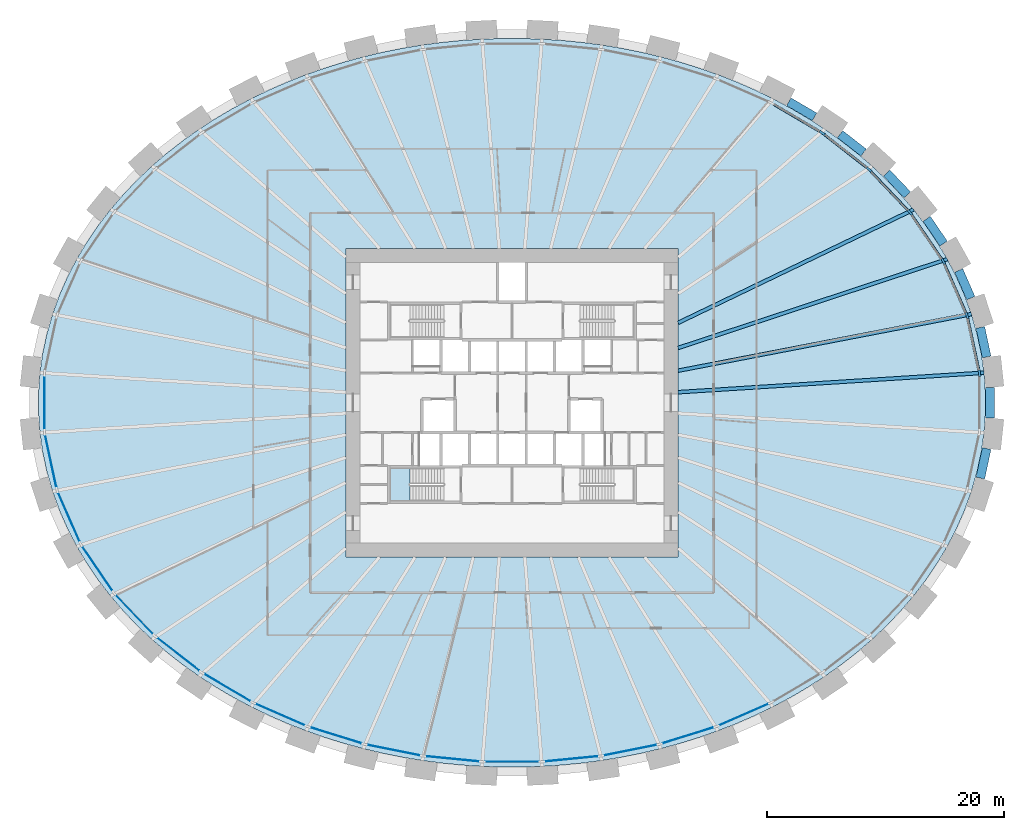
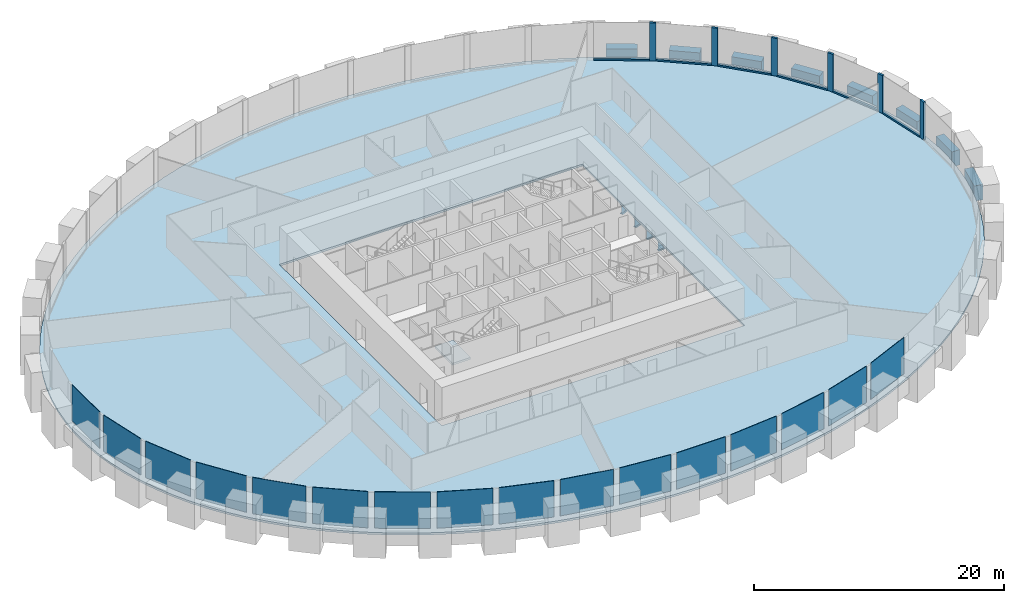
# One storey, part 4 of 11: 16 plates, 12 beams, 12 members, 2 slabs, 2 elements without a shape of their own.
"""IFC4 building model written with IfcOpenShell, lengths in metres."""

from ifc_helpers import new_model, si_unit, direction, frame, origin, origin_2d, place, context, subcontext, project, spatial, polyline, rectangle, i_section, outline, extrude, source, transform, mapped, material, layer, layer_set, material_profile, profile_set, type_object, element, aggregate, save


model = new_model("IFC4")

# Units and contexts
model_context = context("Model", 3, precision=1e-05, world=origin(), true_north=direction((0.0, 1.0)))
body_context = subcontext(model_context, "Body", "Model", "MODEL_VIEW")
ifc_project = project(units=[si_unit("LENGTHUNIT", "METRE"), si_unit("AREAUNIT", "SQUARE_METRE"), si_unit("VOLUMEUNIT", "CUBIC_METRE"), si_unit("PLANEANGLEUNIT", "RADIAN"), si_unit("MASSUNIT", "GRAM", prefix="KILO")], contexts=[model_context])

# Site, building, storey
site_placement = place(None, origin())
site = spatial("IfcSite", under=ifc_project, at=site_placement, CompositionType="ELEMENT")
building_placement = place(site_placement, origin())
building = spatial("IfcBuilding", under=site, at=building_placement, Name="Embergate Tower", CompositionType="ELEMENT")
storey_placement = place(building_placement, frame((0.0, 0.0, 58.10009765625)))
storey = spatial("IfcBuildingStorey", under=building, at=storey_placement, Name="L10", CompositionType="ELEMENT", Elevation=58.10009765625)

# Beams
ifc_material_1 = material(Name="Concrete C70", Category="concrete")
ifc_material_profile_1 = material_profile(ifc_material_1, rectangle(XDim=0.75, YDim=1.5, at=origin_2d()), Name="RC 750x1500")
ifc_profile_set_1 = profile_set([ifc_material_profile_1], Name="Concrete C70")
beam_type_1 = type_object("IfcBeamType", Name="Spandrel beam RC 750x1500 C70", PredefinedType="BEAM", material=ifc_profile_set_1)
shared_shape_1 = source(origin(), body_context, "Body", "SweptSolid", [
    extrude(rectangle(XDim=0.75, YDim=1.5, at=origin_2d()), origin(), (0.0, 0.0, 1.0), 2.5439453125),
])
for number, where, z_axis, x_axis, name in (
    (1, (40.0009765625, 3.85791015625, 0.0), (-0.210269633901, 0.977643432474, 0.0), (-0.977643432474, -0.210269633901, 0.0), "SPN-L10-00"),
    (2, (39.466064453125, -6.344970703125, 0.0), (0.210269633901, 0.977643432474, 0.0), (-0.977643432474, 0.210269633901, 0.0), "SPN-L10-42"),
):
    element("IfcBeam", number, at=place(storey_placement, frame(where, z_axis=z_axis, x_axis=x_axis)), inside=storey, type_object=beam_type_1, Name=name, PredefinedType="BEAM", context=body_context, shape_type="MappedRepresentation", body=[
        mapped(shared_shape_1, transform((0.0, 0.0, 0.0))),
    ])
shared_shape_2 = source(origin(), body_context, "Body", "SweptSolid", [
    extrude(rectangle(XDim=0.75, YDim=1.5, at=origin_2d()), origin(), (0.0, 0.0, 1.0), 2.540771484375),
])
beam_1_placement = place(storey_placement, frame((38.666015625, 8.819091796875, 0.0), z_axis=(-0.401479097778, 0.915868185956, 0.0), x_axis=(-0.915868185956, -0.401479097778, 0.0)))
element("IfcBeam", 3, at=beam_1_placement, inside=storey, type_object=beam_type_1, Name="SPN-L10-01", PredefinedType="BEAM", context=body_context, shape_type="MappedRepresentation", body=[
    mapped(shared_shape_2, transform((0.0, 0.0, 0.0))),
])
shared_shape_3 = source(origin(), body_context, "Body", "SweptSolid", [
    extrude(rectangle(XDim=0.75, YDim=1.5, at=origin_2d()), origin(), (0.0, 0.0, 1.0), 2.5302734375),
])
beam_2_placement = place(storey_placement, frame((36.3701171875, 13.410888671875, 0.0), z_axis=(-0.562447254988, 0.82683316658, 0.0), x_axis=(-0.82683316658, -0.562447254988, 0.0)))
element("IfcBeam", 4, at=beam_2_placement, inside=storey, type_object=beam_type_1, Name="SPN-L10-02", PredefinedType="BEAM", context=body_context, shape_type="MappedRepresentation", body=[
    mapped(shared_shape_3, transform((0.0, 0.0, 0.0))),
])
shared_shape_4 = source(origin(), body_context, "Body", "SweptSolid", [
    extrude(rectangle(XDim=0.75, YDim=1.5, at=origin_2d()), origin(), (0.0, 0.0, 1.0), 2.525146484375),
])
beam_3_placement = place(storey_placement, frame((33.31298828125, 17.52490234375, 0.0), z_axis=(-0.689836216716, 0.723965464719, 0.0), x_axis=(-0.723965464719, -0.689836216716, 0.0)))
element("IfcBeam", 5, at=beam_3_placement, inside=storey, type_object=beam_type_1, Name="SPN-L10-03", PredefinedType="BEAM", context=body_context, shape_type="MappedRepresentation", body=[
    mapped(shared_shape_4, transform((0.0, 0.0, 0.0))),
])
shared_shape_5 = source(origin(), body_context, "Body", "SweptSolid", [
    extrude(rectangle(XDim=0.75, YDim=1.5, at=origin_2d()), origin(), (0.0, 0.0, 1.0), 2.51708984375),
])
beam_4_placement = place(storey_placement, frame((29.6298828125, 21.0830078125, 0.0), z_axis=(-0.788186103863, 0.615436971328, 0.0), x_axis=(-0.615436971328, -0.788186103863, 0.0)))
element("IfcBeam", 6, at=beam_4_placement, inside=storey, type_object=beam_type_1, Name="SPN-L10-04", PredefinedType="BEAM", context=body_context, shape_type="MappedRepresentation", body=[
    mapped(shared_shape_5, transform((0.0, 0.0, 0.0))),
])
shared_shape_6 = source(origin(), body_context, "Body", "SweptSolid", [
    extrude(rectangle(XDim=0.75, YDim=1.5, at=origin_2d()), origin(), (0.0, 0.0, 1.0), 2.512451171875),
])
beam_5_placement = place(storey_placement, frame((25.49609375, 24.093994140625, 0.0), z_axis=(-0.862138987282, 0.506671852986, 0.0), x_axis=(-0.506671852986, -0.862138987282, 0.0)))
element("IfcBeam", 7, at=beam_5_placement, inside=storey, type_object=beam_type_1, Name="SPN-L10-05", PredefinedType="BEAM", context=body_context, shape_type="MappedRepresentation", body=[
    mapped(shared_shape_6, transform((0.0, 0.0, 0.0))),
])
shared_shape_7 = source(origin(), body_context, "Body", "SweptSolid", [
    extrude(rectangle(XDim=0.75, YDim=1.5, at=origin_2d()), origin(), (0.0, 0.0, 1.0), 2.5498046875),
])
beam_6_placement = place(storey_placement, frame((40.2958984375, -1.27490234375, 0.0), z_axis=(0.0, 1.0, 0.0), x_axis=(-1.0, 0.0, 0.0)))
element("IfcBeam", 8, at=beam_6_placement, inside=storey, type_object=beam_type_1, Name="SPN-L10-43", PredefinedType="BEAM", context=body_context, shape_type="MappedRepresentation", body=[
    mapped(shared_shape_7, transform((0.0, 0.0, 0.0))),
])
ifc_material_2 = material(Name="Steel Q355B", Category="steel")
ifc_material_profile_2 = material_profile(ifc_material_2, i_section(OverallWidth=0.300048828125, OverallDepth=0.89990234375, WebThickness=0.01611328125, FlangeThickness=0.028076171875, FilletRadius=0.028076171875, at=origin_2d()), Name="HN 900x300x16x28")
ifc_profile_set_2 = profile_set([ifc_material_profile_2], Name="Steel Q355 grade B")
beam_type_2 = type_object("IfcBeamType", Name="Radial girder HN 900x300x16x28", PredefinedType="BEAM", material=ifc_profile_set_2)
shared_shape_8 = source(origin(), body_context, "Body", "SweptSolid", [
    extrude(i_section(OverallWidth=0.300048828125, OverallDepth=0.89990234375, WebThickness=0.01611328125, FlangeThickness=0.028076171875, FilletRadius=0.028076171875, at=origin_2d()), origin(), (0.0, 0.0, 1.0), 25.8330078125),
])
beam_7_placement = place(storey_placement, frame((39.781005859375, 2.527099609375, -0.650146484375), z_axis=(-0.997987282957, -0.063414375786, 0.0), x_axis=(0.063414375786, -0.997987282957, 0.0)))
element("IfcBeam", 9, at=beam_7_placement, inside=storey, type_object=beam_type_2, Name="GIR-L10-00", PredefinedType="BEAM", context=body_context, shape_type="MappedRepresentation", body=[
    mapped(shared_shape_8, transform((0.0, 0.0, 0.0))),
])
shared_shape_9 = source(origin(), body_context, "Body", "SweptSolid", [
    extrude(i_section(OverallWidth=0.300048828125, OverallDepth=0.89990234375, WebThickness=0.01611328125, FlangeThickness=0.028076171875, FilletRadius=0.028076171875, at=origin_2d()), origin(), (0.0, 0.0, 1.0), 25.173583984375),
])
beam_8_placement = place(storey_placement, frame((38.718017578125, 7.468994140625, -0.650146484375), z_axis=(-0.981898721565, -0.189406706822, 0.0), x_axis=(0.189406706822, -0.981898721565, 0.0)))
element("IfcBeam", 10, at=beam_8_placement, inside=storey, type_object=beam_type_2, Name="GIR-L10-01", PredefinedType="BEAM", context=body_context, shape_type="MappedRepresentation", body=[
    mapped(shared_shape_9, transform((0.0, 0.0, 0.0))),
])
shared_shape_10 = source(origin(), body_context, "Body", "SweptSolid", [
    extrude(i_section(OverallWidth=0.300048828125, OverallDepth=0.89990234375, WebThickness=0.01611328125, FlangeThickness=0.028076171875, FilletRadius=0.028076171875, at=origin_2d()), origin(), (0.0, 0.0, 1.0), 23.889404296875),
])
beam_9_placement = place(storey_placement, frame((36.68701171875, 12.10009765625, -0.650146484375), z_axis=(-0.949672981662, -0.313243081171, 0.0), x_axis=(0.313243081171, -0.949672981662, 0.0)))
element("IfcBeam", 11, at=beam_9_placement, inside=storey, type_object=beam_type_2, Name="GIR-L10-02", PredefinedType="BEAM", context=body_context, shape_type="MappedRepresentation", body=[
    mapped(shared_shape_10, transform((0.0, 0.0, 0.0))),
])
shared_shape_11 = source(origin(), body_context, "Body", "SweptSolid", [
    extrude(i_section(OverallWidth=0.300048828125, OverallDepth=0.89990234375, WebThickness=0.01611328125, FlangeThickness=0.028076171875, FilletRadius=0.028076171875, at=origin_2d()), origin(), (0.0, 0.0, 1.0), 22.020751953125),
])
beam_10_placement = place(storey_placement, frame((33.843994140625, 16.281005859375, -0.650146484375), z_axis=(-0.90115457104, -0.433497911291, 0.0), x_axis=(0.433497911291, -0.90115457104, 0.0)))
element("IfcBeam", 12, at=beam_10_placement, inside=storey, type_object=beam_type_2, Name="GIR-L10-03", PredefinedType="BEAM", context=body_context, shape_type="MappedRepresentation", body=[
    mapped(shared_shape_11, transform((0.0, 0.0, 0.0))),
])

# Curtain wall, members
ifc_material_3 = material(Name="Aluminium and glass", Category="aluminium")
curtain_wall_type = type_object("IfcCurtainWallType", Name="Recessed office glazing", PredefinedType="NOTDEFINED", material=ifc_material_3)
curtain_wall_placement = place(storey_placement, origin())
curtain_wall = element("IfcCurtainWall", 13, at=curtain_wall_placement, inside=storey, type_object=curtain_wall_type, Name="Recessed office glazing ring", ObjectType="RECESSED OFFICE GLAZING", PredefinedType="USERDEFINED")
ifc_material_4 = material(Name="Aluminium, thermally broken", Category="aluminium")
ifc_material_profile_3 = material_profile(ifc_material_4, rectangle(XDim=0.179931640625, YDim=0.52001953125, at=origin_2d()), Name="AL 520x180")
ifc_profile_set_3 = profile_set([ifc_material_profile_3], Name="Aluminium, thermally broken")
member_type_1 = type_object("IfcMemberType", Name="Office mullion", PredefinedType="MULLION", material=ifc_profile_set_3)
shared_shape_12 = source(origin(), body_context, "Body", "SweptSolid", [
    extrude(rectangle(XDim=0.179931640625, YDim=0.52001953125, at=origin_2d()), origin(), (0.0, 0.0, 1.0), 3.699951171875),
])
member_1_placement = place(storey_placement, frame((39.393798828125, 2.485595703125, 0.0), z_axis=(0.0, 0.0, 1.0), x_axis=(-0.994385508811, -0.105818050756, 0.0)))
member_1 = element("IfcMember", 14, at=member_1_placement, type_object=member_type_1, Name="CW mullion 1", PredefinedType="MULLION", context=body_context, shape_type="MappedRepresentation", body=[
    mapped(shared_shape_12, transform((0.0, 0.0, 0.0))),
])
member_2_placement = place(storey_placement, frame((38.347412109375, 7.347900390625, 0.0), z_axis=(0.0, 0.0, 1.0), x_axis=(-0.951502093582, -0.307642269381, 0.0)))
member_2 = element("IfcMember", 15, at=member_2_placement, type_object=member_type_1, Name="CW mullion 2", PredefinedType="MULLION", context=body_context, shape_type="MappedRepresentation", body=[
    mapped(shared_shape_12, transform((0.0, 0.0, 0.0))),
])
member_3_placement = place(storey_placement, frame((36.3466796875, 11.909423828125, 0.0), z_axis=(0.0, 0.0, 1.0), x_axis=(-0.875010345178, -0.48410422001, 0.0)))
member_3 = element("IfcMember", 16, at=member_3_placement, type_object=member_type_1, Name="CW mullion 3", PredefinedType="MULLION", context=body_context, shape_type="MappedRepresentation", body=[
    mapped(shared_shape_12, transform((0.0, 0.0, 0.0))),
])
member_4_placement = place(storey_placement, frame((33.541015625, 16.035400390625, 0.0), z_axis=(0.0, 0.0, 1.0), x_axis=(-0.777883532271, -0.628408474022, 0.0)))
member_4 = element("IfcMember", 17, at=member_4_placement, type_object=member_type_1, Name="CW mullion 4", PredefinedType="MULLION", context=body_context, shape_type="MappedRepresentation", body=[
    mapped(shared_shape_12, transform((0.0, 0.0, 0.0))),
])
member_5_placement = place(storey_placement, frame((30.09130859375, 19.65283203125, 0.0), z_axis=(0.0, 0.0, 1.0), x_axis=(-0.671239471147, -0.741240563093, 0.0)))
member_5 = element("IfcMember", 18, at=member_5_placement, type_object=member_type_1, Name="CW mullion 5", PredefinedType="MULLION", context=body_context, shape_type="MappedRepresentation", body=[
    mapped(shared_shape_12, transform((0.0, 0.0, 0.0))),
])
member_6_placement = place(storey_placement, frame((26.14501953125, 22.73291015625, 0.0), z_axis=(0.0, 0.0, 1.0), x_axis=(-0.562229165438, -0.826981478348, 0.0)))
member_6 = element("IfcMember", 19, at=member_6_placement, type_object=member_type_1, Name="CW mullion 6", PredefinedType="MULLION", context=body_context, shape_type="MappedRepresentation", body=[
    mapped(shared_shape_12, transform((0.0, 0.0, 0.0))),
])
ifc_material_profile_4 = material_profile(ifc_material_4, rectangle(XDim=0.179931640625, YDim=0.14990234375, at=origin_2d()), Name="AL 150x180")
ifc_profile_set_4 = profile_set([ifc_material_profile_4], Name="Aluminium, thermally broken")
member_type_2 = type_object("IfcMemberType", Name="Office sill transom", PredefinedType="USERDEFINED", material=ifc_profile_set_4)
shared_shape_13 = source(origin(), body_context, "Body", "SweptSolid", [
    extrude(rectangle(XDim=0.179931640625, YDim=0.14990234375, at=origin_2d()), origin(), (0.0, 0.0, 1.0), 4.45361328125),
])
member_7_placement = place(storey_placement, frame((39.339111328125, 2.73974609375, 0.074951171875), z_axis=(-0.210390045313, 0.977617526865, 0.0), x_axis=(-0.977617526865, -0.210390045313, 0.0)))
member_7 = element("IfcMember", 20, at=member_7_placement, type_object=member_type_2, Name="CW transom 1.1", ObjectType="TRANSOM", PredefinedType="USERDEFINED", context=body_context, shape_type="MappedRepresentation", body=[
    mapped(shared_shape_13, transform((0.0, 0.0, 0.0))),
])
shared_shape_14 = source(origin(), body_context, "Body", "SweptSolid", [
    extrude(rectangle(XDim=0.179931640625, YDim=0.14990234375, at=origin_2d()), origin(), (0.0, 0.0, 1.0), 4.460693359375),
])
member_8_placement = place(storey_placement, frame((38.242919921875, 7.586181640625, 0.074951171875), z_axis=(-0.401613983085, 0.915809045921, 0.0), x_axis=(-0.915809045921, -0.401613983085, 0.0)))
member_8 = element("IfcMember", 21, at=member_8_placement, type_object=member_type_2, Name="CW transom 2.1", ObjectType="TRANSOM", PredefinedType="USERDEFINED", context=body_context, shape_type="MappedRepresentation", body=[
    mapped(shared_shape_14, transform((0.0, 0.0, 0.0))),
])
shared_shape_15 = source(origin(), body_context, "Body", "SweptSolid", [
    extrude(rectangle(XDim=0.179931640625, YDim=0.14990234375, at=origin_2d()), origin(), (0.0, 0.0, 1.0), 4.4697265625),
])
member_9_placement = place(storey_placement, frame((36.20068359375, 12.12451171875, 0.074951171875), z_axis=(-0.562327949545, 0.826914310652, 0.0), x_axis=(-0.826914310652, -0.562327949545, 0.0)))
member_9 = element("IfcMember", 22, at=member_9_placement, type_object=member_type_2, Name="CW transom 3.1", ObjectType="TRANSOM", PredefinedType="USERDEFINED", context=body_context, shape_type="MappedRepresentation", body=[
    mapped(shared_shape_15, transform((0.0, 0.0, 0.0))),
])
shared_shape_16 = source(origin(), body_context, "Body", "SweptSolid", [
    extrude(rectangle(XDim=0.179931640625, YDim=0.14990234375, at=origin_2d()), origin(), (0.0, 0.0, 1.0), 4.478515625),
])
member_10_placement = place(storey_placement, frame((33.361572265625, 16.2236328125, 0.074951171875), z_axis=(-0.690145055563, 0.723671059447, 0.0), x_axis=(-0.723671059447, -0.690145055563, 0.0)))
member_10 = element("IfcMember", 23, at=member_10_placement, type_object=member_type_2, Name="CW transom 4.1", ObjectType="TRANSOM", PredefinedType="USERDEFINED", context=body_context, shape_type="MappedRepresentation", body=[
    mapped(shared_shape_16, transform((0.0, 0.0, 0.0))),
])
shared_shape_17 = source(origin(), body_context, "Body", "SweptSolid", [
    extrude(rectangle(XDim=0.179931640625, YDim=0.14990234375, at=origin_2d()), origin(), (0.0, 0.0, 1.0), 4.486083984375),
])
member_11_placement = place(storey_placement, frame((29.886474609375, 19.812744140625, 0.074951171875), z_axis=(-0.78829904423, 0.615292301972, 0.0), x_axis=(-0.615292301972, -0.78829904423, 0.0)))
member_11 = element("IfcMember", 24, at=member_11_placement, type_object=member_type_2, Name="CW transom 5.1", ObjectType="TRANSOM", PredefinedType="USERDEFINED", context=body_context, shape_type="MappedRepresentation", body=[
    mapped(shared_shape_17, transform((0.0, 0.0, 0.0))),
])
shared_shape_18 = source(origin(), body_context, "Body", "SweptSolid", [
    extrude(rectangle(XDim=0.179931640625, YDim=0.14990234375, at=origin_2d()), origin(), (0.0, 0.0, 1.0), 4.491943359375),
])
member_12_placement = place(storey_placement, frame((25.9208984375, 22.86474609375, 0.074951171875), z_axis=(-0.8620529522, 0.506818219486, 0.0), x_axis=(-0.506818219486, -0.8620529522, 0.0)))
member_12 = element("IfcMember", 25, at=member_12_placement, type_object=member_type_2, Name="CW transom 6.1", ObjectType="TRANSOM", PredefinedType="USERDEFINED", context=body_context, shape_type="MappedRepresentation", body=[
    mapped(shared_shape_18, transform((0.0, 0.0, 0.0))),
])

# Slab
ifc_material_5 = material(Name="Concrete C40", Category="concrete")
ifc_layer_1 = layer(ifc_material_5, 0.199951171875)
ifc_layer_set_1 = layer_set([ifc_layer_1], Name="Concrete C40")
slab_type_1 = type_object("IfcSlabType", Name="Composite floor slab C40 200", PredefinedType="FLOOR", material=ifc_layer_set_1)
shared_shape_19 = source(origin(), body_context, "Body", "SweptSolid", [
    extrude(outline(polyline([(0.0, 0.0), (1.68798828125, 0.0), (3.375, 0.054931640625), (5.06298828125, 0.1650390625), (6.742919921875, 0.330078125), (8.4130859375, 0.550048828125), (10.0849609375, 0.826904296875), (11.739990234375, 1.158935546875), (13.375, 1.544921875), (15.013916015625, 1.992919921875), (16.6259765625, 2.494873046875), (18.2080078125, 3.050048828125), (19.7919921875, 3.673095703125), (21.339111328125, 4.348876953125), (22.844970703125, 5.077880859375), (24.35009765625, 5.880859375), (25.804931640625, 6.737060546875), (27.2080078125, 7.64306640625), (28.60107421875, 8.632080078125), (29.930908203125, 9.669921875), (31.196044921875, 10.755859375), (32.43798828125, 11.931884765625), (33.60302734375, 13.153076171875), (34.68798828125, 14.41796875), (35.72802734375, 15.77392578125), (36.677001953125, 17.1689453125), (37.531982421875, 18.599853515625), (38.31494140625, 20.114990234375), (38.991943359375, 21.659912109375), (39.56201171875, 23.22998046875), (40.032958984375, 24.862060546875), (40.387939453125, 26.510986328125), (40.6259765625, 28.171875), (40.74609375, 29.85595703125), (40.74609375, 31.5419921875), (40.6259765625, 33.22607421875), (40.387939453125, 34.886962890625), (40.032958984375, 36.535888671875), (39.56201171875, 38.16796875), (38.991943359375, 39.738037109375), (38.31494140625, 41.282958984375), (37.531982421875, 42.798095703125), (36.677001953125, 44.22900390625), (35.72802734375, 45.6240234375), (34.68798828125, 46.97998046875), (33.60302734375, 48.244873046875), (32.43798828125, 49.466064453125), (31.196044921875, 50.64208984375), (29.930908203125, 51.72802734375), (28.60107421875, 52.765869140625), (27.2080078125, 53.7548828125), (25.804931640625, 54.660888671875), (24.35009765625, 55.51708984375), (22.844970703125, 56.320068359375), (21.339111328125, 57.049072265625), (19.7919921875, 57.724853515625), (18.2080078125, 58.347900390625), (16.6259765625, 58.903076171875), (15.013916015625, 59.405029296875), (13.375, 59.85302734375), (11.739990234375, 60.239013671875), (10.0849609375, 60.571044921875), (8.4130859375, 60.847900390625), (6.742919921875, 61.06787109375), (5.06298828125, 61.23291015625), (3.375, 61.343017578125), (1.68798828125, 61.39794921875), (0.0, 61.39794921875), (-1.68701171875, 61.343017578125), (-3.375, 61.23291015625), (-5.054931640625, 61.06787109375), (-6.72509765625, 60.847900390625), (-8.39697265625, 60.571044921875), (-10.052001953125, 60.239013671875), (-11.68701171875, 59.85302734375), (-13.325927734375, 59.405029296875), (-14.93798828125, 58.903076171875), (-16.52001953125, 58.347900390625), (-18.10400390625, 57.724853515625), (-19.651123046875, 57.049072265625), (-21.156982421875, 56.320068359375), (-22.662109375, 55.51708984375), (-24.116943359375, 54.660888671875), (-25.52001953125, 53.7548828125), (-26.9130859375, 52.765869140625), (-28.242919921875, 51.72802734375), (-29.508056640625, 50.64208984375), (-30.75, 49.466064453125), (-31.9150390625, 48.244873046875), (-33.0, 46.97998046875), (-34.0400390625, 45.6240234375), (-34.989013671875, 44.22900390625), (-35.843994140625, 42.798095703125), (-36.626953125, 41.282958984375), (-37.303955078125, 39.738037109375), (-37.8740234375, 38.16796875), (-38.344970703125, 36.535888671875), (-38.699951171875, 34.886962890625), (-38.93798828125, 33.22607421875), (-39.05810546875, 31.5419921875), (-39.05810546875, 29.85595703125), (-38.93798828125, 28.171875), (-38.699951171875, 26.510986328125), (-38.344970703125, 24.862060546875), (-37.8740234375, 23.22998046875), (-37.303955078125, 21.659912109375), (-36.626953125, 20.114990234375), (-35.843994140625, 18.599853515625), (-34.989013671875, 17.1689453125), (-34.0400390625, 15.77392578125), (-33.0, 14.41796875), (-31.9150390625, 13.153076171875), (-30.75, 11.931884765625), (-29.508056640625, 10.755859375), (-28.242919921875, 9.669921875), (-26.9130859375, 8.632080078125), (-25.52001953125, 7.64306640625), (-24.116943359375, 6.737060546875), (-22.662109375, 5.880859375), (-21.156982421875, 5.077880859375), (-19.651123046875, 4.348876953125), (-18.10400390625, 3.673095703125), (-16.52001953125, 3.050048828125), (-14.93798828125, 2.494873046875), (-13.325927734375, 1.992919921875), (-11.68701171875, 1.544921875), (-10.052001953125, 1.158935546875), (-8.39697265625, 0.826904296875), (-6.72509765625, 0.550048828125), (-5.054931640625, 0.330078125), (-3.375, 0.1650390625), (-1.68701171875, 0.054931640625), (0.0, 0.0)]), holes=[polyline([(-13.156005859375, 17.698974609375), (-13.156005859375, 43.698974609375), (14.843994140625, 43.698974609375), (14.843994140625, 17.698974609375), (-13.156005859375, 17.698974609375)])]), origin(), (0.0, 0.0, 1.0), 0.2001953125),
])
slab_1_placement = place(storey_placement, frame((-0.843994140625, -30.698974609375, -0.2001953125)))
element("IfcSlab", 26, at=slab_1_placement, inside=storey, type_object=slab_type_1, Name="SLB-L10-00", PredefinedType="FLOOR", context=body_context, shape_type="MappedRepresentation", body=[
    mapped(shared_shape_19, transform((0.0, 0.0, 0.0))),
])

# Plate
ifc_material_6 = material(Name="Triple glazing, low-emissivity coating", Category="glass")
ifc_layer_2 = layer(ifc_material_6, 0.035888671875)
ifc_layer_set_2 = layer_set([ifc_layer_2], Name="Triple glazing, low-emissivity coating")
plate_type = type_object("IfcPlateType", Name="Office glazing unit", PredefinedType="CURTAIN_PANEL", material=ifc_layer_set_2)
shared_shape_20 = source(origin(), body_context, "Body", "SweptSolid", [
    extrude(rectangle(XDim=4.453857421875, YDim=0.035888671875, at=origin_2d()), origin(), (0.0, 0.0, 1.0), 3.550048828125),
])
plate_1_placement = place(storey_placement, frame((-38.87060546875, -4.916748046875, 0.14990234375), z_axis=(0.0, 0.0, 1.0), x_axis=(0.210391566126, -0.977617199574, 0.0)))
plate_1 = element("IfcPlate", 27, at=plate_1_placement, type_object=plate_type, Name="CW panel 23.1", PredefinedType="CURTAIN_PANEL", context=body_context, shape_type="MappedRepresentation", body=[
    mapped(shared_shape_20, transform((0.0, 0.0, 0.0))),
])

shared_shape_21 = source(origin(), body_context, "Body", "SweptSolid", [
    extrude(rectangle(XDim=4.460693359375, YDim=0.035888671875, at=origin_2d()), origin(), (0.0, 0.0, 1.0), 3.550048828125),
])
plate_2_placement = place(storey_placement, frame((-37.34716796875, -9.628662109375, 0.14990234375), z_axis=(0.0, 0.0, 1.0), x_axis=(0.401644109346, -0.915795833921, 0.0)))
plate_2 = element("IfcPlate", 28, at=plate_2_placement, type_object=plate_type, Name="CW panel 24.1", PredefinedType="CURTAIN_PANEL", context=body_context, shape_type="MappedRepresentation", body=[
    mapped(shared_shape_21, transform((0.0, 0.0, 0.0))),
])

shared_shape_22 = source(origin(), body_context, "Body", "SweptSolid", [
    extrude(rectangle(XDim=4.4697265625, YDim=0.035888671875, at=origin_2d()), origin(), (0.0, 0.0, 1.0), 3.550048828125),
])
plate_3_placement = place(storey_placement, frame((-34.94384765625, -13.972412109375, 0.14990234375), z_axis=(0.0, 0.0, 1.0), x_axis=(0.562331639324, -0.826911801473, 0.0)))
plate_3 = element("IfcPlate", 29, at=plate_3_placement, type_object=plate_type, Name="CW panel 25.1", PredefinedType="CURTAIN_PANEL", context=body_context, shape_type="MappedRepresentation", body=[
    mapped(shared_shape_22, transform((0.0, 0.0, 0.0))),
])

shared_shape_23 = source(origin(), body_context, "Body", "SweptSolid", [
    extrude(rectangle(XDim=4.478515625, YDim=0.035888671875, at=origin_2d()), origin(), (0.0, 0.0, 1.0), 3.550048828125),
])
plate_4_placement = place(storey_placement, frame((-31.816162109375, -17.84423828125, 0.14990234375), z_axis=(0.0, 0.0, 1.0), x_axis=(0.690124942972, -0.723690239735, 0.0)))
plate_4 = element("IfcPlate", 30, at=plate_4_placement, type_object=plate_type, Name="CW panel 26.1", PredefinedType="CURTAIN_PANEL", context=body_context, shape_type="MappedRepresentation", body=[
    mapped(shared_shape_23, transform((0.0, 0.0, 0.0))),
])

shared_shape_24 = source(origin(), body_context, "Body", "SweptSolid", [
    extrude(rectangle(XDim=4.486083984375, YDim=0.035888671875, at=origin_2d()), origin(), (0.0, 0.0, 1.0), 3.550048828125),
])
plate_5_placement = place(storey_placement, frame((-28.1181640625, -21.19287109375, 0.14990234375), z_axis=(0.0, 0.0, 1.0), x_axis=(0.788312602312, -0.615274931259, 0.0)))
plate_5 = element("IfcPlate", 31, at=plate_5_placement, type_object=plate_type, Name="CW panel 27.1", PredefinedType="CURTAIN_PANEL", context=body_context, shape_type="MappedRepresentation", body=[
    mapped(shared_shape_24, transform((0.0, 0.0, 0.0))),
])

shared_shape_25 = source(origin(), body_context, "Body", "SweptSolid", [
    extrude(rectangle(XDim=4.491943359375, YDim=0.035888671875, at=origin_2d()), origin(), (0.0, 0.0, 1.0), 3.550048828125),
])
plate_6_placement = place(storey_placement, frame((-23.98486328125, -24.0029296875, 0.14990234375), z_axis=(0.0, 0.0, 1.0), x_axis=(0.86204786038, -0.506826880122, 0.0)))
plate_6 = element("IfcPlate", 32, at=plate_6_placement, type_object=plate_type, Name="CW panel 28.1", PredefinedType="CURTAIN_PANEL", context=body_context, shape_type="MappedRepresentation", body=[
    mapped(shared_shape_25, transform((0.0, 0.0, 0.0))),
])

shared_shape_26 = source(origin(), body_context, "Body", "SweptSolid", [
    extrude(rectangle(XDim=4.49658203125, YDim=0.035888671875, at=origin_2d()), origin(), (0.0, 0.0, 1.0), 3.550048828125),
])
plate_7_placement = place(storey_placement, frame((-19.5263671875, -26.278076171875, 0.14990234375), z_axis=(0.0, 0.0, 1.0), x_axis=(0.916232715476, -0.400646491426, 0.0)))
plate_7 = element("IfcPlate", 33, at=plate_7_placement, type_object=plate_type, Name="CW panel 29.1", PredefinedType="CURTAIN_PANEL", context=body_context, shape_type="MappedRepresentation", body=[
    mapped(shared_shape_26, transform((0.0, 0.0, 0.0))),
])

plate_8_placement = place(storey_placement, frame((19.5263671875, -26.278076171875, 0.14990234375), z_axis=(0.0, 0.0, 1.0), x_axis=(0.916232715476, 0.400646491426, 0.0)))
plate_8 = element("IfcPlate", 34, at=plate_8_placement, type_object=plate_type, Name="CW panel 37.1", PredefinedType="CURTAIN_PANEL", context=body_context, shape_type="MappedRepresentation", body=[
    mapped(shared_shape_26, transform((0.0, 0.0, 0.0))),
])

shared_shape_27 = source(origin(), body_context, "Body", "SweptSolid", [
    extrude(rectangle(XDim=4.5, YDim=0.035888671875, at=origin_2d()), origin(), (0.0, 0.0, 1.0), 3.550048828125),
])
plate_9_placement = place(storey_placement, frame((-14.831787109375, -28.029296875, 0.14990234375), z_axis=(0.0, 0.0, 1.0), x_axis=(0.954770141339, -0.297344879236, 0.0)))
plate_9 = element("IfcPlate", 35, at=plate_9_placement, type_object=plate_type, Name="CW panel 30.1", PredefinedType="CURTAIN_PANEL", context=body_context, shape_type="MappedRepresentation", body=[
    mapped(shared_shape_27, transform((0.0, 0.0, 0.0))),
])

plate_10_placement = place(storey_placement, frame((14.831787109375, -28.029296875, 0.14990234375), z_axis=(0.0, 0.0, 1.0), x_axis=(0.954770141339, 0.297344879236, 0.0)))
plate_10 = element("IfcPlate", 36, at=plate_10_placement, type_object=plate_type, Name="CW panel 36.1", PredefinedType="CURTAIN_PANEL", context=body_context, shape_type="MappedRepresentation", body=[
    mapped(shared_shape_27, transform((0.0, 0.0, 0.0))),
])

shared_shape_28 = source(origin(), body_context, "Body", "SweptSolid", [
    extrude(rectangle(XDim=4.502197265625, YDim=0.035888671875, at=origin_2d()), origin(), (0.0, 0.0, 1.0), 3.550048828125),
])
plate_11_placement = place(storey_placement, frame((-9.97314453125, -29.269287109375, 0.14990234375), z_axis=(0.0, 0.0, 1.0), x_axis=(0.980474877795, -0.196644384646, 0.0)))
plate_11 = element("IfcPlate", 37, at=plate_11_placement, type_object=plate_type, Name="CW panel 31.1", PredefinedType="CURTAIN_PANEL", context=body_context, shape_type="MappedRepresentation", body=[
    mapped(shared_shape_28, transform((0.0, 0.0, 0.0))),
])

plate_12_placement = place(storey_placement, frame((9.97314453125, -29.269287109375, 0.14990234375), z_axis=(0.0, 0.0, 1.0), x_axis=(0.980474877795, 0.196644384646, 0.0)))
plate_12 = element("IfcPlate", 38, at=plate_12_placement, type_object=plate_type, Name="CW panel 35.1", PredefinedType="CURTAIN_PANEL", context=body_context, shape_type="MappedRepresentation", body=[
    mapped(shared_shape_28, transform((0.0, 0.0, 0.0))),
])

shared_shape_29 = source(origin(), body_context, "Body", "SweptSolid", [
    extrude(rectangle(XDim=4.50341796875, YDim=0.035888671875, at=origin_2d()), origin(), (0.0, 0.0, 1.0), 3.550048828125),
])
plate_13_placement = place(storey_placement, frame((-5.01171875, -30.009033203125, 0.14990234375), z_axis=(0.0, 0.0, 1.0), x_axis=(0.995203014042, -0.097831287645, 0.0)))
plate_13 = element("IfcPlate", 39, at=plate_13_placement, type_object=plate_type, Name="CW panel 32.1", PredefinedType="CURTAIN_PANEL", context=body_context, shape_type="MappedRepresentation", body=[
    mapped(shared_shape_29, transform((0.0, 0.0, 0.0))),
])

plate_14_placement = place(storey_placement, frame((5.01171875, -30.009033203125, 0.14990234375), z_axis=(0.0, 0.0, 1.0), x_axis=(0.995203014042, 0.097831287645, 0.0)))
plate_14 = element("IfcPlate", 40, at=plate_14_placement, type_object=plate_type, Name="CW panel 34.1", PredefinedType="CURTAIN_PANEL", context=body_context, shape_type="MappedRepresentation", body=[
    mapped(shared_shape_29, transform((0.0, 0.0, 0.0))),
])

shared_shape_30 = source(origin(), body_context, "Body", "SweptSolid", [
    extrude(rectangle(XDim=4.50390625, YDim=0.035888671875, at=origin_2d()), origin(), (0.0, 0.0, 1.0), 3.550048828125),
])
plate_15_placement = place(storey_placement, frame((0.0, -30.254638671875, 0.14990234375), z_axis=(0.0, 0.0, 1.0), x_axis=(1.0, 0.0, 0.0)))
plate_15 = element("IfcPlate", 41, at=plate_15_placement, type_object=plate_type, Name="CW panel 33.1", PredefinedType="CURTAIN_PANEL", context=body_context, shape_type="MappedRepresentation", body=[
    mapped(shared_shape_30, transform((0.0, 0.0, 0.0))),
])

shared_shape_31 = source(origin(), body_context, "Body", "SweptSolid", [
    extrude(rectangle(XDim=4.451171875, YDim=0.035888671875, at=origin_2d()), origin(), (0.0, 0.0, 1.0), 3.550048828125),
])
plate_16_placement = place(storey_placement, frame((-39.393798828125, 0.0, 0.14990234375), z_axis=(0.0, 0.0, 1.0), x_axis=(0.0, -1.0, 0.0)))
plate_16 = element("IfcPlate", 42, at=plate_16_placement, type_object=plate_type, Name="CW panel 22.1", PredefinedType="CURTAIN_PANEL", context=body_context, shape_type="MappedRepresentation", body=[
    mapped(shared_shape_31, transform((0.0, 0.0, 0.0))),
])

aggregate(curtain_wall, [member_1, member_2, member_3, member_4, member_5, member_6, member_7, member_8, member_9, member_10, member_11, member_12, plate_16, plate_1, plate_2, plate_3, plate_4, plate_5, plate_6, plate_7, plate_9, plate_11, plate_13, plate_15, plate_14, plate_12, plate_10, plate_8])

# Stair, slab
ifc_material_7 = material(Name="Exit stair")
stair_type = type_object("IfcStairType", Name="Exit stair", PredefinedType="HALF_TURN_STAIR", material=ifc_material_7)
stair_placement = place(storey_placement, origin())
stair = element("IfcStair", 43, at=stair_placement, inside=storey, type_object=stair_type, Name="L10 Exit stair 3", PredefinedType="HALF_TURN_STAIR")
ifc_layer_3 = layer(ifc_material_5, 0.199951171875)
ifc_layer_set_3 = layer_set([ifc_layer_3], Name="Concrete C40")
slab_type_2 = type_object("IfcSlabType", Name="Stair landing reinforced concrete", PredefinedType="LANDING", material=ifc_layer_set_3)
shared_shape_32 = source(origin(), body_context, "Body", "SweptSolid", [
    extrude(outline(polyline([(0.0, 0.0), (1.68994140625, 0.0), (1.68994140625, 2.800048828125), (0.0, 2.800048828125), (0.0, 0.0)])), origin(), (0.0, 0.0, 1.0), 0.199951171875),
])
slab_2_placement = place(storey_placement, frame((-10.300048828125, -8.300048828125, 1.75)))
slab_2 = element("IfcSlab", 44, at=slab_2_placement, type_object=slab_type_2, Name="ST3 landing 1", PredefinedType="LANDING", context=body_context, shape_type="MappedRepresentation", body=[
    mapped(shared_shape_32, transform((0.0, 0.0, 0.0))),
])
aggregate(stair, [slab_2])

save(model, "model.ifc")
